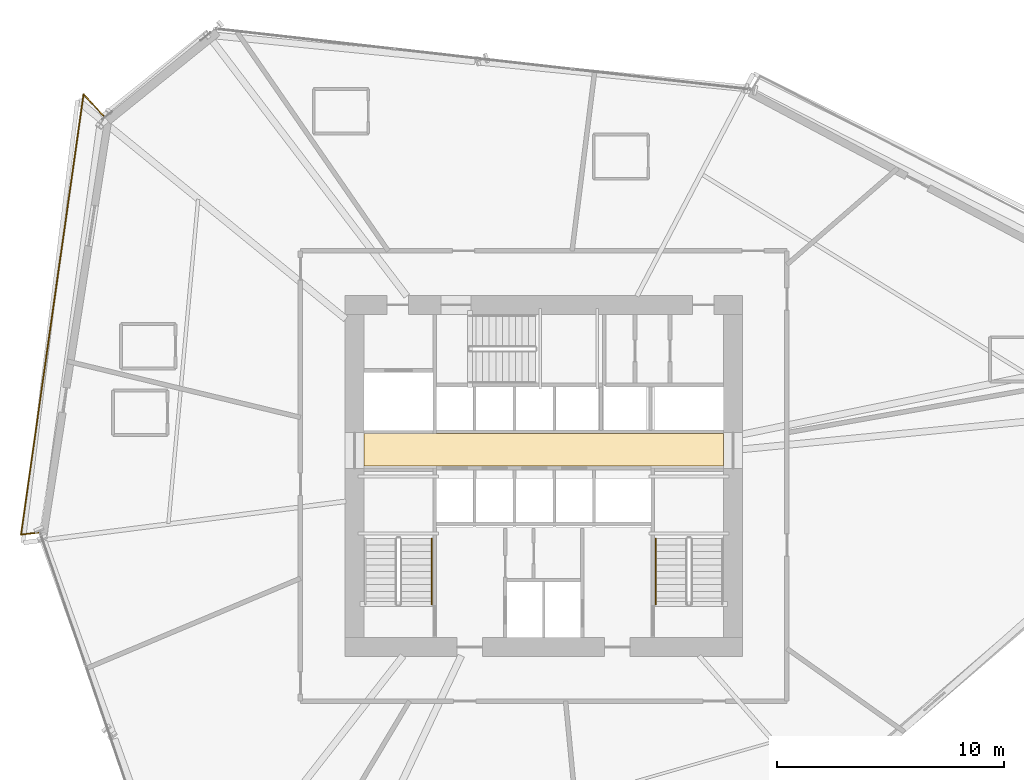
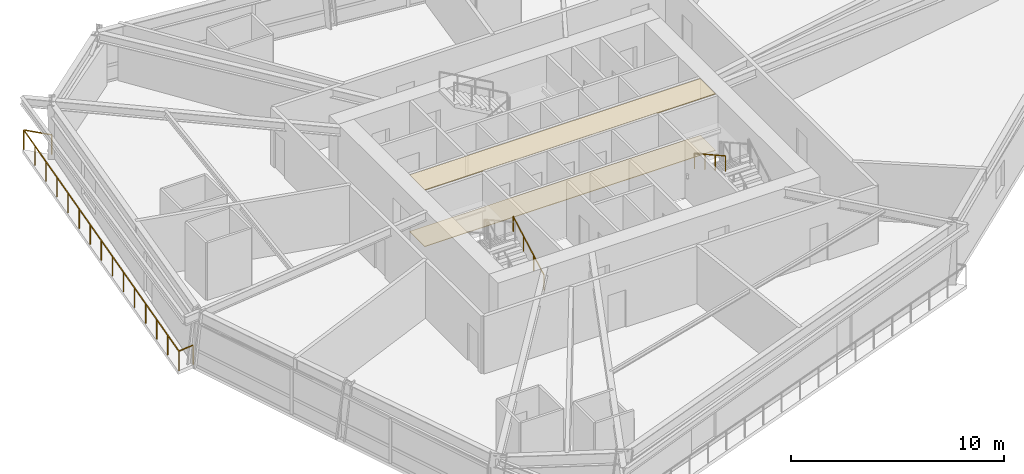
# One storey, part 20 of 22: 3 railings, 2 coverings.
"""IFC4 building model written with IfcOpenShell, lengths in metres."""

from ifc_helpers import new_model, si_unit, direction, frame, origin, origin_2d, place, context, subcontext, project, spatial, polyline, rectangle, outline, extrude, material, layer, layer_set, type_object, element, save


model = new_model("IFC4")

# Units and contexts
model_context = context("Model", 3, precision=1e-05, world=origin(), true_north=direction((0.0, 1.0)))
body_context = subcontext(model_context, "Body", "Model", "MODEL_VIEW")
ifc_project = project(units=[si_unit("LENGTHUNIT", "METRE"), si_unit("AREAUNIT", "SQUARE_METRE"), si_unit("VOLUMEUNIT", "CUBIC_METRE"), si_unit("PLANEANGLEUNIT", "RADIAN"), si_unit("MASSUNIT", "GRAM", prefix="KILO")], contexts=[model_context])

# Site, building, storey
site_placement = place(None, origin())
site = spatial("IfcSite", under=ifc_project, at=site_placement, CompositionType="ELEMENT")
building_placement = place(site_placement, origin())
building = spatial("IfcBuilding", under=site, at=building_placement, Name="Olszyna Solenne Hotel", CompositionType="ELEMENT")
storey_placement = place(building_placement, frame((0.0, 0.0, 61.25)))
storey = spatial("IfcBuildingStorey", under=building, at=storey_placement, Name="L15", CompositionType="ELEMENT", Elevation=61.25)

# Coverings
ifc_material_1 = material(Name="Mineral wool acoustic ceiling")
ifc_layer_1 = layer(ifc_material_1, 0.0400390625, Name="Mineral wool acoustic ceiling")
ifc_layer_set_1 = layer_set([ifc_layer_1], Name="Mineral wool acoustic ceiling")
covering_type_1 = type_object("IfcCoveringType", Name="CL-AC1", PredefinedType="CEILING", material=ifc_layer_set_1)
covering_1_placement = place(storey_placement, frame((0.0, 0.0, 3.239990234375)))
element("IfcCovering", 1, at=covering_1_placement, inside=storey, type_object=covering_type_1, Name="Lift lobby acoustic tile ceiling CL-L15-01", PredefinedType="CEILING", context=body_context, shape_type="SweptSolid", body=[
    extrude(outline(polyline([(30.10009765625, 27.030029296875), (45.89990234375, 27.030029296875), (45.89990234375, 28.4599609375), (30.10009765625, 28.4599609375), (30.10009765625, 27.030029296875)])), origin(), (0.0, 0.0, 1.0), 0.0400390625),
])
ifc_material_2 = material(Name="Ceramic floor tile")
ifc_layer_2 = layer(ifc_material_2, 0.030029296875, Name="Ceramic floor tile")
ifc_layer_set_2 = layer_set([ifc_layer_2], Name="Ceramic floor tile")
covering_type_2 = type_object("IfcCoveringType", Name="FL-TL1", PredefinedType="FLOORING", material=ifc_layer_set_2)
covering_2_placement = place(storey_placement, origin())
element("IfcCovering", 2, at=covering_2_placement, inside=storey, type_object=covering_type_2, Name="Lift lobby stoneware floor finish FLR-L15-01", PredefinedType="FLOORING", context=body_context, shape_type="SweptSolid", body=[
    extrude(outline(polyline([(30.10009765625, 27.030029296875), (45.89990234375, 27.030029296875), (45.89990234375, 28.4599609375), (30.10009765625, 28.4599609375), (30.10009765625, 27.030029296875)])), origin(), (0.0, 0.0, 1.0), 0.030029296875),
])

# Railings
ifc_material_3 = material(Name="Anodised bronze aluminium", Category="aluminium")
railing_type_1 = type_object("IfcRailingType", Name="GR-110", PredefinedType="BALUSTRADE", material=ifc_material_3)
railing_1_placement = place(storey_placement, frame((18.697265625, 42.376708984375, 0.0)))
element("IfcRailing", 3, at=railing_1_placement, inside=storey, type_object=railing_type_1, Name="Loggia balcony balustrade guard GR-L15-LG2", PredefinedType="BALUSTRADE", context=body_context, shape_type="SweptSolid", body=[
    extrude(rectangle(XDim=0.048095703125, YDim=0.048095703125, at=origin_2d()), frame((0.0, 0.0, 1.1259765625), z_axis=(-0.680240601868, 0.732988897303, 0.0), x_axis=(-0.732988897303, -0.680240601868, 0.0)), (0.0, 0.0, 1.0), 1.379150390625),
    extrude(rectangle(XDim=0.048095703125, YDim=0.048095703125, at=origin_2d()), frame((-0.938232421875, 1.010986328125, 1.1259765625), z_axis=(-0.140669977325, -0.990056542567, 0.0), x_axis=(0.990056542567, -0.140669977325, 0.0)), (0.0, 0.0, 1.0), 19.5615234375),
    extrude(rectangle(XDim=0.048095703125, YDim=0.048095703125, at=origin_2d()), frame((-3.68994140625, -18.35595703125, 1.1259765625), z_axis=(0.993111147008, 0.117176148121, 0.0), x_axis=(-0.117176148121, 0.993111147008, 0.0)), (0.0, 0.0, 1.0), 0.845947265625),
    extrude(rectangle(XDim=0.0419921875, YDim=0.0419921875, at=origin_2d()), origin(), (0.0, 0.0, 1.0), 1.101806640625),
    extrude(rectangle(XDim=0.0419921875, YDim=0.0419921875, at=origin_2d()), frame((-0.938232421875, 1.010986328125, 0.0)), (0.0, 0.0, 1.0), 1.101806640625),
    extrude(rectangle(XDim=0.0419921875, YDim=0.0419921875, at=origin_2d()), frame((-1.134765625, -0.372314453125, 0.0)), (0.0, 0.0, 1.0), 1.101806640625),
    extrude(rectangle(XDim=0.0419921875, YDim=0.0419921875, at=origin_2d()), frame((-1.331298828125, -1.755615234375, 0.0)), (0.0, 0.0, 1.0), 1.101806640625),
    extrude(rectangle(XDim=0.0419921875, YDim=0.0419921875, at=origin_2d()), frame((-1.52783203125, -3.13916015625, 0.0)), (0.0, 0.0, 1.0), 1.101806640625),
    extrude(rectangle(XDim=0.0419921875, YDim=0.0419921875, at=origin_2d()), frame((-1.724365234375, -4.5224609375, 0.0)), (0.0, 0.0, 1.0), 1.101806640625),
    extrude(rectangle(XDim=0.0419921875, YDim=0.0419921875, at=origin_2d()), frame((-1.9208984375, -5.90576171875, 0.0)), (0.0, 0.0, 1.0), 1.101806640625),
    extrude(rectangle(XDim=0.0419921875, YDim=0.0419921875, at=origin_2d()), frame((-2.117431640625, -7.2890625, 0.0)), (0.0, 0.0, 1.0), 1.101806640625),
    extrude(rectangle(XDim=0.0419921875, YDim=0.0419921875, at=origin_2d()), frame((-2.31396484375, -8.67236328125, 0.0)), (0.0, 0.0, 1.0), 1.101806640625),
    extrude(rectangle(XDim=0.0419921875, YDim=0.0419921875, at=origin_2d()), frame((-2.5107421875, -10.055908203125, 0.0)), (0.0, 0.0, 1.0), 1.101806640625),
    extrude(rectangle(XDim=0.0419921875, YDim=0.0419921875, at=origin_2d()), frame((-2.707275390625, -11.439208984375, 0.0)), (0.0, 0.0, 1.0), 1.101806640625),
    extrude(rectangle(XDim=0.0419921875, YDim=0.0419921875, at=origin_2d()), frame((-2.90380859375, -12.822509765625, 0.0)), (0.0, 0.0, 1.0), 1.101806640625),
    extrude(rectangle(XDim=0.0419921875, YDim=0.0419921875, at=origin_2d()), frame((-3.100341796875, -14.205810546875, 0.0)), (0.0, 0.0, 1.0), 1.101806640625),
    extrude(rectangle(XDim=0.0419921875, YDim=0.0419921875, at=origin_2d()), frame((-3.296875, -15.58935546875, 0.0)), (0.0, 0.0, 1.0), 1.101806640625),
    extrude(rectangle(XDim=0.0419921875, YDim=0.0419921875, at=origin_2d()), frame((-3.493408203125, -16.97265625, 0.0)), (0.0, 0.0, 1.0), 1.101806640625),
    extrude(rectangle(XDim=0.0419921875, YDim=0.0419921875, at=origin_2d()), frame((-3.68994140625, -18.35595703125, 0.0)), (0.0, 0.0, 1.0), 1.101806640625),
    extrude(rectangle(XDim=0.0419921875, YDim=0.0419921875, at=origin_2d()), frame((-2.849853515625, -18.2568359375, 0.0)), (0.0, 0.0, 1.0), 1.101806640625),
])
ifc_material_4 = material(Name="Steel S355J2", Category="steel")
railing_type_2 = type_object("IfcRailingType", Name="HR-090", PredefinedType="HANDRAIL", material=ifc_material_4)
railing_2_placement = place(storey_placement, frame((33.070068359375, 20.949951171875, 0.161376953125)))
element("IfcRailing", 4, at=railing_2_placement, inside=storey, type_object=railing_type_2, Name="L15 ST1 stair handrail 1", PredefinedType="HANDRAIL", context=body_context, shape_type="SweptSolid", body=[
    extrude(rectangle(XDim=0.048095703125, YDim=0.048095703125, at=origin_2d()), frame((0.0, 0.0, 0.8759765625), z_axis=(0.0, 0.873858693841, 0.486179990537), x_axis=(-1.0, 0.0, 0.0)), (0.0, 0.0, 1.0), 3.31884765625),
    extrude(rectangle(XDim=0.0419921875, YDim=0.0419921875, at=origin_2d()), origin(), (0.0, 0.0, 1.0), 0.851806640625),
    extrude(rectangle(XDim=0.0419921875, YDim=0.0419921875, at=origin_2d()), frame((0.0, 0.966796875, 0.537841796875)), (0.0, 0.0, 1.0), 0.851806640625),
    extrude(rectangle(XDim=0.0419921875, YDim=0.0419921875, at=origin_2d()), frame((0.0, 1.933349609375, 1.07568359375)), (0.0, 0.0, 1.0), 0.851806640625),
    extrude(rectangle(XDim=0.0419921875, YDim=0.0419921875, at=origin_2d()), frame((0.0, 2.900146484375, 1.613525390625)), (0.0, 0.0, 1.0), 0.851806640625),
])
railing_3_placement = place(storey_placement, frame((42.929931640625, 23.85009765625, 1.936279296875)))
element("IfcRailing", 5, at=railing_3_placement, inside=storey, type_object=railing_type_2, Name="L15 ST2 stair handrail 2", PredefinedType="HANDRAIL", context=body_context, shape_type="SweptSolid", body=[
    extrude(rectangle(XDim=0.048095703125, YDim=0.048095703125, at=origin_2d()), frame((0.0, 0.0, 0.8759765625), z_axis=(0.0, -0.873827439584, 0.48623616261), x_axis=(1.0, 0.0, 0.0)), (0.0, 0.0, 1.0), 3.31884765625),
    extrude(rectangle(XDim=0.0419921875, YDim=0.0419921875, at=origin_2d()), origin(), (0.0, 0.0, 1.0), 0.851806640625),
    extrude(rectangle(XDim=0.0419921875, YDim=0.0419921875, at=origin_2d()), frame((0.0, -0.966796875, 0.537841796875)), (0.0, 0.0, 1.0), 0.851806640625),
    extrude(rectangle(XDim=0.0419921875, YDim=0.0419921875, at=origin_2d()), frame((0.0, -1.933349609375, 1.075927734375)), (0.0, 0.0, 1.0), 0.851806640625),
    extrude(rectangle(XDim=0.0419921875, YDim=0.0419921875, at=origin_2d()), frame((0.0, -2.900146484375, 1.61376953125)), (0.0, 0.0, 1.0), 0.851806640625),
])

save(model, "model.ifc")
